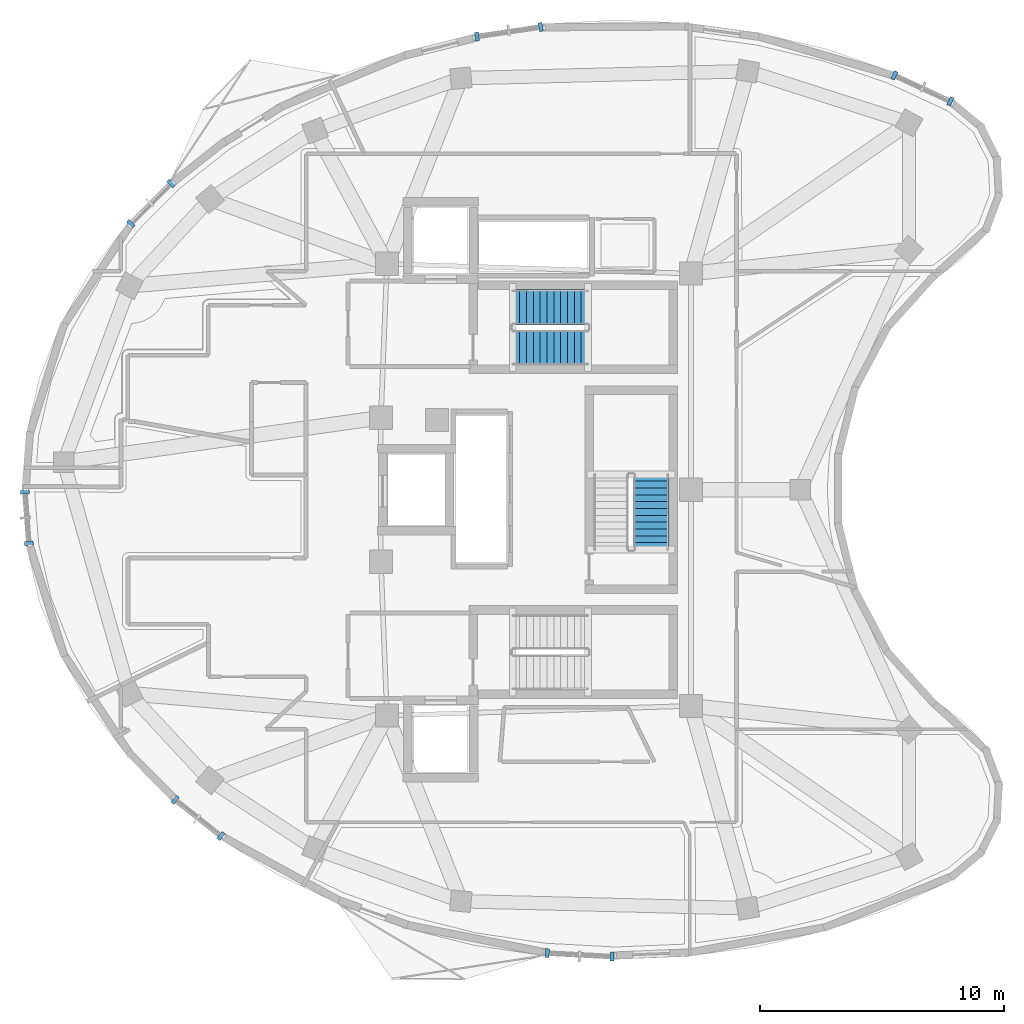
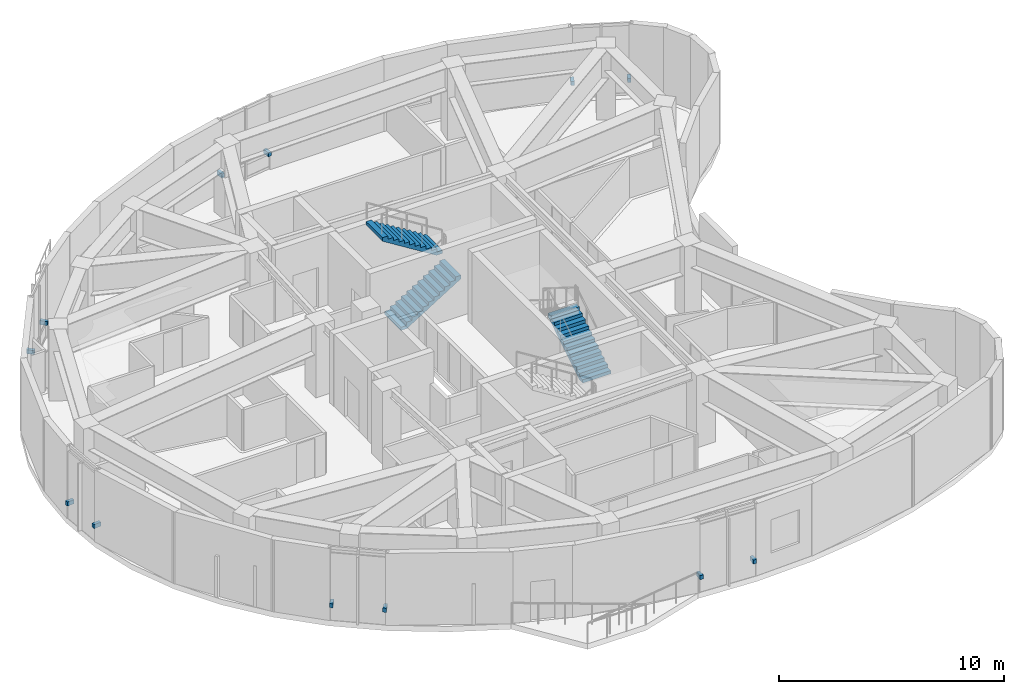
# One storey, part 9 of 12: 12 discrete accessories, 3 stair flights, 2 elements without a shape of their own.
"""IFC4 building model written with IfcOpenShell, lengths in metres."""

from ifc_helpers import new_model, si_unit, direction, frame, origin, origin_2d, place, context, subcontext, project, spatial, polyline, rectangle, outline, extrude, material, type_object, element, aggregate, save


model = new_model("IFC4")

# Units and contexts
model_context = context("Model", 3, precision=1e-05, world=origin(), true_north=direction((0.0, 1.0)))
body_context = subcontext(model_context, "Body", "Model", "MODEL_VIEW")
ifc_project = project(units=[si_unit("LENGTHUNIT", "METRE"), si_unit("AREAUNIT", "SQUARE_METRE"), si_unit("VOLUMEUNIT", "CUBIC_METRE"), si_unit("PLANEANGLEUNIT", "RADIAN"), si_unit("MASSUNIT", "GRAM", prefix="KILO")], contexts=[model_context])

# Site, building, storey
site_placement = place(None, origin())
site = spatial("IfcSite", under=ifc_project, at=site_placement, CompositionType="ELEMENT")
building_placement = place(site_placement, origin())
building = spatial("IfcBuilding", under=site, at=building_placement, Name="Korentha Bioscience Tower", CompositionType="ELEMENT")
storey_placement = place(building_placement, frame((0.0, 0.0, 297.60009765625)))
storey = spatial("IfcBuildingStorey", under=building, at=storey_placement, Name="L68", CompositionType="ELEMENT", Elevation=297.60009765625)

# Stair, stair flights
ifc_material_1 = material(Name="Precast Concrete C50", Category="concrete")
stair_type = type_object("IfcStairType", Name="Core Exit Dog-Leg Stair 1450", PredefinedType="HALF_TURN_STAIR", material=ifc_material_1)
stair_1_placement = place(storey_placement, origin())
stair_1 = element("IfcStair", 1, at=stair_1_placement, inside=storey, type_object=stair_type, Name="L68 Tower North Pressurized Exit Stair ST-1", PredefinedType="HALF_TURN_STAIR")
stair_flight_type = type_object("IfcStairFlightType", Name="Core Exit Dog-Leg Stair 1450 Flight", PredefinedType="STRAIGHT", material=ifc_material_1)
stair_flight_1_placement = place(storey_placement, frame((30.25, 32.824951171875, 0.0), z_axis=(0.0, 0.0, 1.0), x_axis=(1.0, 0.0, 0.0)))
stair_flight_1 = element("IfcStairFlight", 2, at=stair_flight_1_placement, type_object=stair_flight_type, Name="ST-1 flight 1", NumberOfRisers=12, NumberOfTreads=11, PredefinedType="STRAIGHT", RiserHeight=0.175, TreadLength=0.28, context=body_context, shape_type="SweptSolid", body=[
    extrude(outline(polyline([(0.0, 0.0), (0.0, 0.175048828125), (0.280029296875, 0.175048828125), (0.280029296875, 0.35009765625), (0.56005859375, 0.35009765625), (0.56005859375, 0.52490234375), (0.840087890625, 0.52490234375), (0.840087890625, 0.699951171875), (1.1201171875, 0.699951171875), (1.1201171875, 0.875), (1.39990234375, 0.875), (1.39990234375, 1.050048828125), (1.679931640625, 1.050048828125), (1.679931640625, 1.22509765625), (1.9599609375, 1.22509765625), (1.9599609375, 1.39990234375), (2.239990234375, 1.39990234375), (2.239990234375, 1.574951171875), (2.52001953125, 1.574951171875), (2.52001953125, 1.75), (2.800048828125, 1.75), (2.800048828125, 1.925048828125), (3.080078125, 1.925048828125), (3.080078125, 2.10009765625), (3.080078125, 1.736328125), (0.3017578125, 0.0), (0.0, 0.0)])), frame((0.0, 0.72509765625, 0.0), z_axis=(0.0, -1.0, 0.0), x_axis=(1.0, 0.0, 0.0)), (0.0, 0.0, 1.0), 1.449951171875),
])
stair_flight_2_placement = place(storey_placement, frame((33.330078125, 34.47509765625, 2.099853515625), z_axis=(0.0, 0.0, 1.0), x_axis=(-1.0, 0.0, 0.0)))
stair_flight_2 = element("IfcStairFlight", 3, at=stair_flight_2_placement, type_object=stair_flight_type, Name="ST-1 flight 2", NumberOfRisers=12, NumberOfTreads=11, PredefinedType="STRAIGHT", RiserHeight=0.175, TreadLength=0.28, context=body_context, shape_type="SweptSolid", body=[
    extrude(outline(polyline([(0.0, 0.0), (0.0, 0.175048828125), (0.280029296875, 0.175048828125), (0.280029296875, 0.35009765625), (0.56005859375, 0.35009765625), (0.56005859375, 0.52490234375), (0.840087890625, 0.52490234375), (0.840087890625, 0.699951171875), (1.1201171875, 0.699951171875), (1.1201171875, 0.875), (1.39990234375, 0.875), (1.39990234375, 1.050048828125), (1.679931640625, 1.050048828125), (1.679931640625, 1.22509765625), (1.9599609375, 1.22509765625), (1.9599609375, 1.39990234375), (2.239990234375, 1.39990234375), (2.239990234375, 1.574951171875), (2.52001953125, 1.574951171875), (2.52001953125, 1.75), (2.800048828125, 1.75), (2.800048828125, 1.925048828125), (3.080078125, 1.925048828125), (3.080078125, 2.10009765625), (3.080078125, 1.736328125), (0.3017578125, 0.0), (0.0, 0.0)])), frame((0.0, 0.72509765625, 0.0), z_axis=(0.0, -1.0, 0.0), x_axis=(1.0, 0.0, 0.0)), (0.0, 0.0, 1.0), 1.449951171875),
])
aggregate(stair_1, [stair_flight_1, stair_flight_2])

# Stair, stair flight
stair_2_placement = place(storey_placement, origin())
stair_2 = element("IfcStair", 4, at=stair_2_placement, inside=storey, type_object=stair_type, Name="L68 Tower Central Pressurized Exit Stair ST-3", PredefinedType="HALF_TURN_STAIR")
stair_flight_3_placement = place(storey_placement, frame((35.925048828125, 24.550048828125, 0.0), z_axis=(0.0, 0.0, 1.0), x_axis=(0.0, 1.0, 0.0)))
stair_flight_3 = element("IfcStairFlight", 5, at=stair_flight_3_placement, type_object=stair_flight_type, Name="ST-3 flight 1", NumberOfRisers=12, NumberOfTreads=11, PredefinedType="STRAIGHT", RiserHeight=0.175, TreadLength=0.28, context=body_context, shape_type="SweptSolid", body=[
    extrude(outline(polyline([(0.0, 0.0), (0.0, 0.175048828125), (0.280029296875, 0.175048828125), (0.280029296875, 0.35009765625), (0.56005859375, 0.35009765625), (0.56005859375, 0.52490234375), (0.840087890625, 0.52490234375), (0.840087890625, 0.699951171875), (1.1201171875, 0.699951171875), (1.1201171875, 0.875), (1.39990234375, 0.875), (1.39990234375, 1.050048828125), (1.679931640625, 1.050048828125), (1.679931640625, 1.22509765625), (1.9599609375, 1.22509765625), (1.9599609375, 1.39990234375), (2.239990234375, 1.39990234375), (2.239990234375, 1.574951171875), (2.52001953125, 1.574951171875), (2.52001953125, 1.75), (2.800048828125, 1.75), (2.800048828125, 1.925048828125), (3.080078125, 1.925048828125), (3.080078125, 2.10009765625), (3.080078125, 1.736328125), (0.3017578125, 0.0), (0.0, 0.0)])), frame((0.0, 0.72509765625, 0.0), z_axis=(0.0, -1.0, 0.0), x_axis=(1.0, 0.0, 0.0)), (0.0, 0.0, 1.0), 1.449951171875),
])
aggregate(stair_2, [stair_flight_3])

# Discrete accessories
ifc_material_2 = material(Name="Stainless Steel 316", Category="steel")
discrete_accessory_type = type_object("IfcDiscreteAccessoryType", Name="Stainless Steel Solar-Screen Outrigger Bracket", PredefinedType="BRACKET", material=ifc_material_2)
for number, where, z_axis, x_axis, name in (
    (6, (48.170166015625, 42.901611328125, 0.73974609375), (0.0, 0.0, 1.0), (-0.907204022278, 0.420690934016, 0.0), "CW-L68-01 Solar-Screen Support Bracket 1"),
    (7, (45.87646484375, 43.965087890625, 0.73974609375), (0.0, 0.0, 1.0), (-0.907204022278, 0.420690934016, 0.0), "CW-L68-01 Solar-Screen Support Bracket 2"),
    (8, (31.396240234375, 45.947265625, 0.73974609375), (0.0, 0.0, 1.0), (-0.98900659611, -0.147871406471, 0.0), "CW-L68-07 Solar-Screen Support Bracket 1"),
    (9, (28.783203125, 45.556396484375, 0.73974609375), (0.0, 0.0, 1.0), (-0.98900659611, -0.147871406471, 0.0), "CW-L68-07 Solar-Screen Support Bracket 2"),
    (10, (16.252685546875, 39.541015625, 0.73974609375), (0.0, 0.0, 1.0), (-0.703813123431, -0.710385168262, 0.0), "CW-L68-13 Solar-Screen Support Bracket 1"),
    (11, (14.61279296875, 37.885986328125, 0.73974609375), (0.0, 0.0, 1.0), (-0.703813123431, -0.710385168262, 0.0), "CW-L68-13 Solar-Screen Support Bracket 2"),
    (12, (10.275390625, 26.905029296875, 0.73974609375), (0.0, 0.0, 1.0), (0.076447323916, -0.997073621487, 0.0), "CW-L68-19 Solar-Screen Support Bracket 1"),
    (13, (10.4365234375, 24.8046875, 0.73974609375), (0.0, 0.0, 1.0), (0.076447323916, -0.997073621487, 0.0), "CW-L68-19 Solar-Screen Support Bracket 2"),
    (14, (16.423095703125, 14.306640625, 0.73974609375), (0.0, 0.0, 1.0), (0.78407560827, -0.620665320858, 0.0), "CW-L68-25 Solar-Screen Support Bracket 1"),
    (15, (18.302001953125, 12.8193359375, 0.73974609375), (0.0, 0.0, 1.0), (0.78407560827, -0.620665320858, 0.0), "CW-L68-25 Solar-Screen Support Bracket 2"),
    (16, (31.66552734375, 8.025634765625, 0.73974609375), (0.0, 0.0, 1.0), (0.998579324855, -0.053285382345, 0.0), "CW-L68-31 Solar-Screen Support Bracket 1"),
    (17, (34.31884765625, 7.884033203125, 0.73974609375), (0.0, 0.0, 1.0), (0.998579324855, -0.053285382345, 0.0), "CW-L68-31 Solar-Screen Support Bracket 2"),
):
    element("IfcDiscreteAccessory", number, at=place(storey_placement, frame(where, z_axis=z_axis, x_axis=x_axis)), inside=storey, type_object=discrete_accessory_type, Name=name, PredefinedType="BRACKET", context=body_context, shape_type="SweptSolid", body=[
        extrude(rectangle(XDim=0.159912109375, YDim=0.360107421875, at=origin_2d()), origin(), (0.0, 0.0, 1.0), 0.219970703125),
    ])

save(model, "model.ifc")
